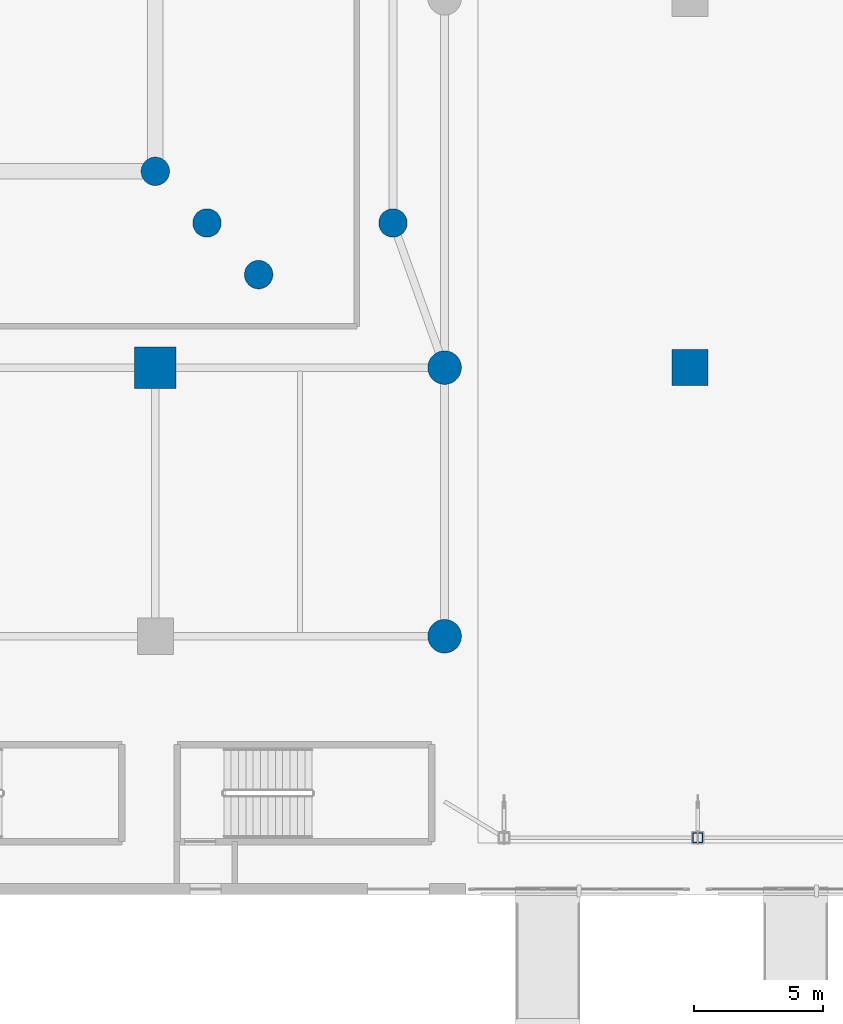
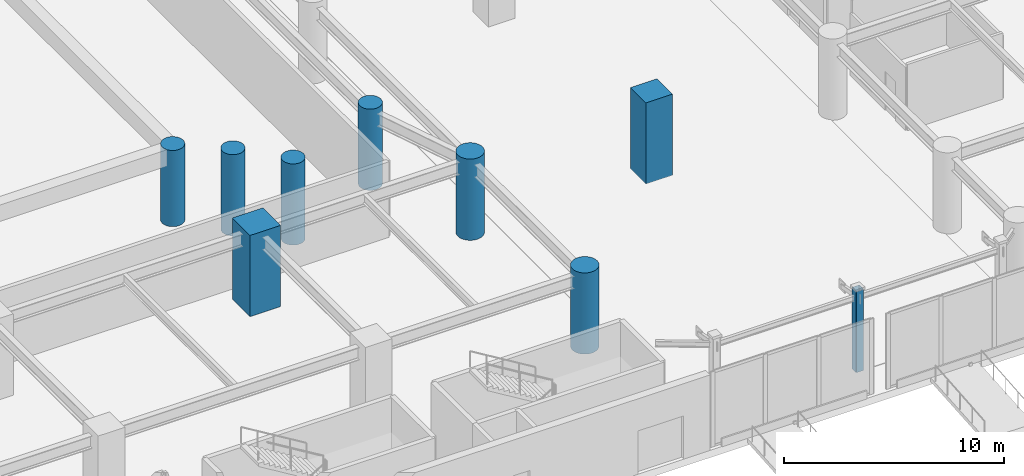
# One storey, part 2 of 42: 9 columns.
"""IFC4 building model written with IfcOpenShell, lengths in metres."""

from ifc_helpers import new_model, si_unit, direction, frame, origin, origin_2d, place, context, subcontext, project, spatial, rectangle, hollow_rectangle, circle, extrude, material, material_profile, profile_set, type_object, element, save


model = new_model("IFC4")

# Units and contexts
model_context = context("Model", 3, precision=1e-05, world=origin(), true_north=direction((0.0, 1.0)))
body_context = subcontext(model_context, "Body", "Model", "MODEL_VIEW")
ifc_project = project(units=[si_unit("LENGTHUNIT", "METRE"), si_unit("AREAUNIT", "SQUARE_METRE"), si_unit("VOLUMEUNIT", "CUBIC_METRE"), si_unit("PLANEANGLEUNIT", "RADIAN"), si_unit("MASSUNIT", "GRAM", prefix="KILO")], contexts=[model_context])

# Site, building, storey
site_placement = place(None, origin())
site = spatial("IfcSite", under=ifc_project, at=site_placement, CompositionType="ELEMENT")
building_placement = place(site_placement, origin())
building = spatial("IfcBuilding", under=site, at=building_placement, Name="Narakoshi Arena Tower", CompositionType="ELEMENT")
storey_placement = place(building_placement, origin())
storey = spatial("IfcBuildingStorey", under=building, at=storey_placement, Name="L00", CompositionType="ELEMENT", Elevation=0.0)

# Columns
ifc_material_1 = material(Name="Concrete C50/60", Category="concrete")
ifc_material_profile_1 = material_profile(ifc_material_1, circle(Radius=0.550048828125, at=origin_2d()), Name="RCC1100")
ifc_profile_set_1 = profile_set([ifc_material_profile_1], Name="Concrete C50/60")
column_type_1 = type_object("IfcColumnType", Name="COL-CIR1100", PredefinedType="PILASTER", material=ifc_profile_set_1)
column_1_placement = place(storey_placement, frame((40.0, 28.0, 0.0), z_axis=(0.0, 0.0, 1.0), x_axis=(1.0, 0.0, 0.0)))
element("IfcColumn", 1, at=column_1_placement, inside=storey, type_object=column_type_1, Name="L00 Arena Bowl Raker Column BWL1B", PredefinedType="PILASTER", context=body_context, shape_type="SweptSolid", body=[
    extrude(circle(Radius=0.550048828125, at=origin_2d()), origin(), (0.0, 0.0, 1.0), 4.219970703125),
])
for number, where, z_axis, x_axis, name in (
    (2, (42.0, 26.0, 0.0), (0.0, 0.0, 1.0), (1.0, 0.0, 0.0), "L00 Arena Bowl Raker Column BWL2B"),
    (3, (44.0, 24.0, 0.0), (0.0, 0.0, 1.0), (1.0, 0.0, 0.0), "L00 Arena Bowl Raker Column BWL3B"),
    (4, (49.199951171875, 26.0, 0.0), (0.0, 0.0, 1.0), (1.0, 0.0, 0.0), "L00 Arena Foyer Pilaster Column 01"),
):
    element("IfcColumn", number, at=place(storey_placement, frame(where, z_axis=z_axis, x_axis=x_axis)), inside=storey, type_object=column_type_1, Name=name, PredefinedType="PILASTER", context=body_context, shape_type="SweptSolid", body=[
        extrude(circle(Radius=0.550048828125, at=origin_2d()), origin(), (0.0, 0.0, 1.0), 4.5),
    ])
ifc_material_2 = material(Name="Concrete C60/75", Category="concrete")
ifc_material_profile_2 = material_profile(ifc_material_2, circle(Radius=0.64990234375, at=origin_2d()), Name="RCC1300")
ifc_profile_set_2 = profile_set([ifc_material_profile_2], Name="Concrete C60/75")
column_type_2 = type_object("IfcColumnType", Name="COL-CIR1300", PredefinedType="PILASTER", material=ifc_profile_set_2)
for number, where, z_axis, x_axis, name in (
    (5, (51.199951171875, 10.0, 0.0), (0.0, 0.0, 1.0), (1.0, 0.0, 0.0), "L00 Podium Column PC22"),
    (6, (51.199951171875, 20.39990234375, 0.0), (0.0, 0.0, 1.0), (1.0, 0.0, 0.0), "L00 Podium Column PC23"),
):
    element("IfcColumn", number, at=place(storey_placement, frame(where, z_axis=z_axis, x_axis=x_axis)), inside=storey, type_object=column_type_2, Name=name, PredefinedType="PILASTER", context=body_context, shape_type="SweptSolid", body=[
        extrude(circle(Radius=0.64990234375, at=origin_2d()), origin(), (0.0, 0.0, 1.0), 4.5),
    ])
ifc_material_profile_3 = material_profile(ifc_material_2, rectangle(XDim=1.39990234375, YDim=1.39990234375, at=origin_2d()), Name="RC1400x1400")
ifc_profile_set_3 = profile_set([ifc_material_profile_3], Name="Concrete C60/75")
column_type_3 = type_object("IfcColumnType", Name="COL-RC1400", PredefinedType="COLUMN", material=ifc_profile_set_3)
column_2_placement = place(storey_placement, frame((60.699951171875, 20.39990234375, 0.0), z_axis=(0.0, 0.0, 1.0), x_axis=(1.0, 0.0, 0.0)))
element("IfcColumn", 7, at=column_2_placement, inside=storey, type_object=column_type_3, Name="L00 Podium Column PC29", PredefinedType="COLUMN", context=body_context, shape_type="SweptSolid", body=[
    extrude(rectangle(XDim=1.39990234375, YDim=1.39990234375, at=origin_2d()), origin(), (0.0, 0.0, 1.0), 4.5),
])
ifc_material_profile_4 = material_profile(ifc_material_2, rectangle(XDim=1.60009765625, YDim=1.60009765625, at=origin_2d()), Name="RC1600x1600")
ifc_profile_set_4 = profile_set([ifc_material_profile_4], Name="Concrete C60/75")
column_type_4 = type_object("IfcColumnType", Name="COL-RC1600", PredefinedType="COLUMN", material=ifc_profile_set_4)
column_3_placement = place(storey_placement, frame((40.0, 20.39990234375, 0.0), z_axis=(0.0, 0.0, 1.0), x_axis=(1.0, 0.0, 0.0)))
element("IfcColumn", 8, at=column_3_placement, inside=storey, type_object=column_type_4, Name="L00 Podium Column PC19", PredefinedType="COLUMN", context=body_context, shape_type="SweptSolid", body=[
    extrude(rectangle(XDim=1.60009765625, YDim=1.60009765625, at=origin_2d()), origin(), (0.0, 0.0, 1.0), 4.5),
])
ifc_material_3 = material(Name="Structural steel S355J2", Category="steel")
ifc_material_profile_5 = material_profile(ifc_material_3, hollow_rectangle(XDim=0.39990234375, YDim=0.39990234375, WallThickness=0.02001953125, OuterFilletRadius=0.0400390625, at=origin_2d()), Name="SHS400x400x20")
ifc_profile_set_5 = profile_set([ifc_material_profile_5], Name="Structural steel S355J2")
column_type_5 = type_object("IfcColumnType", Name="COL-SHS400", PredefinedType="COLUMN", material=ifc_profile_set_5)
column_4_placement = place(storey_placement, frame((61.0, 2.199951171875, 0.0), z_axis=(0.0, 0.0, 1.0), x_axis=(1.0, 0.0, 0.0)))
element("IfcColumn", 9, at=column_4_placement, inside=storey, type_object=column_type_5, Name="L00 Concourse Canopy Column CAN02", PredefinedType="COLUMN", context=body_context, shape_type="SweptSolid", body=[
    extrude(hollow_rectangle(XDim=0.39990234375, YDim=0.39990234375, WallThickness=0.02001953125, OuterFilletRadius=0.0400390625, at=origin_2d()), origin(), (0.0, 0.0, 1.0), 4.5),
])

save(model, "model.ifc")
